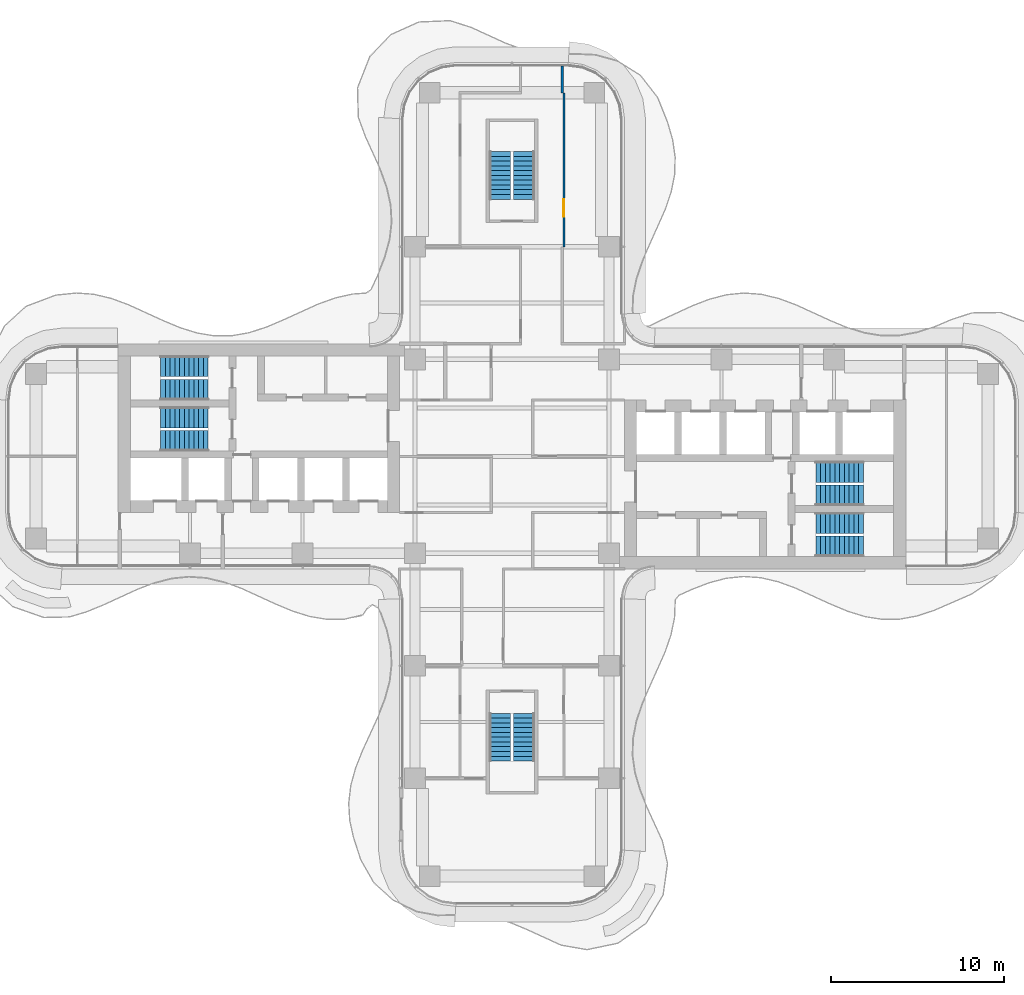
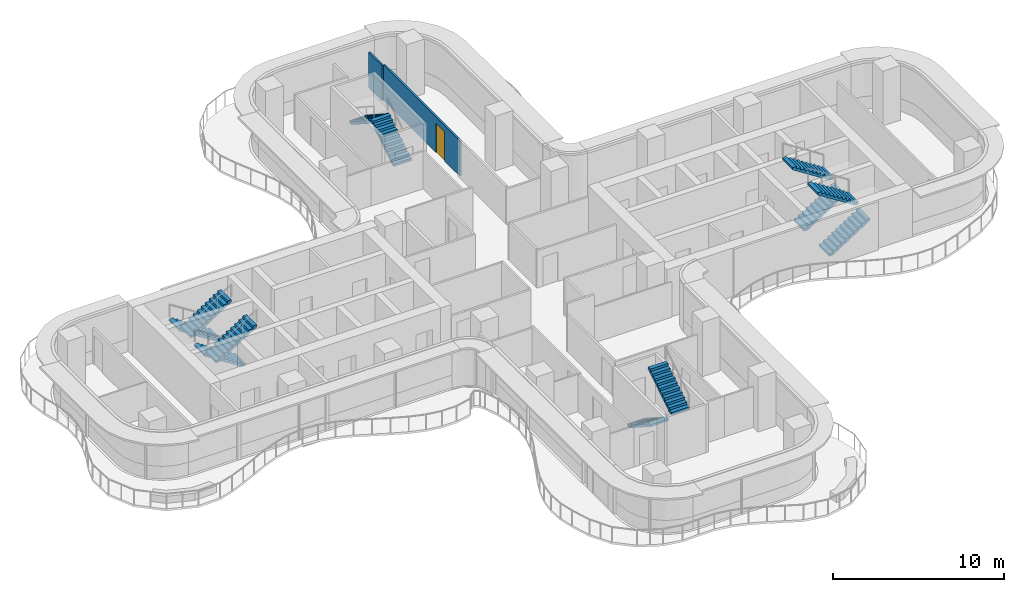
# One storey, part 15 of 17: 12 stair flights, 2 walls, 1 door, 1 opening, 6 elements without a shape of their own.
"""IFC4 building model written with IfcOpenShell, lengths in metres."""

from ifc_helpers import new_model, si_unit, direction, frame, frame_2d, origin, place, context, subcontext, project, spatial, polyline, rectangle, outline, extrude, source, transform, mapped, material, layer, layer_set, type_object, element, fill, aggregate, save


model = new_model("IFC4")

# Units and contexts
model_context = context("Model", 3, precision=1e-05, world=origin(), true_north=direction((0.0, 1.0)))
body_context = subcontext(model_context, "Body", "Model", "MODEL_VIEW")
ifc_project = project(units=[si_unit("LENGTHUNIT", "METRE"), si_unit("AREAUNIT", "SQUARE_METRE"), si_unit("VOLUMEUNIT", "CUBIC_METRE"), si_unit("PLANEANGLEUNIT", "RADIAN"), si_unit("MASSUNIT", "GRAM", prefix="KILO")], contexts=[model_context])

# Site, building, storey
site_placement = place(None, origin())
site = spatial("IfcSite", under=ifc_project, at=site_placement, CompositionType="ELEMENT")
building_placement = place(site_placement, origin())
building = spatial("IfcBuilding", under=site, at=building_placement, Name="Trellis Farm Tower", CompositionType="ELEMENT")
storey_placement = place(building_placement, frame((0.0, 0.0, 208.800048828125)))
storey = spatial("IfcBuildingStorey", under=building, at=storey_placement, Name="L46", CompositionType="ELEMENT", Elevation=208.800048828125)

# Wall
ifc_material_1 = material(Name="Plasterboard on steel studs, mineral wool", Category="steel")
ifc_layer = layer(ifc_material_1, 0.125)
ifc_layer_set = layer_set([ifc_layer], Name="PARTITION 125 STUD EI 60")
wall_type = type_object("IfcWallType", Name="PARTITION 125 STUD EI 60", PredefinedType="PARTITIONING", material=ifc_layer_set)
wall_1_placement = place(storey_placement, frame((2.89990234375, 22.550048828125, 0.0), z_axis=(0.0, 0.0, 1.0), x_axis=(0.0, -1.0, 0.0)))
element("IfcWall", 1, at=wall_1_placement, inside=storey, type_object=wall_type, Name="Partition PW1", PredefinedType="PARTITIONING", context=body_context, shape_type="SweptSolid", body=[
    extrude(rectangle(XDim=1.550048828125, YDim=0.125, at=frame_2d((0.77490234375, 0.0))), origin(), (0.0, 0.0, 1.0), 2.530029296875),
])

# Wall, opening, door
wall_2_placement = place(storey_placement, frame((3.0, 21.0, 0.0), z_axis=(0.0, 0.0, 1.0), x_axis=(0.0, -1.0, 0.0)))
wall_2 = element("IfcWall", 2, at=wall_2_placement, inside=storey, type_object=wall_type, Name="Partition PW1", PredefinedType="PARTITIONING", context=body_context, shape_type="SweptSolid", body=[
    extrude(rectangle(XDim=8.89990234375, YDim=0.125, at=frame_2d((4.449951171875, 0.0))), origin(), (0.0, 0.0, 1.0), 2.530029296875),
])
shared_shape_1 = source(origin(), body_context, "Body", "SweptSolid", [
    extrude(rectangle(XDim=1.0, YDim=2.10009765625, at=frame_2d((0.5, 1.050048828125))), frame((0.0, 0.072509765625, 0.0), z_axis=(0.0, -1.0, 0.0), x_axis=(1.0, 0.0, 0.0)), (0.0, 0.0, 1.0), 0.14501953125),
])
opening_placement = place(wall_2_placement, frame((6.14990234375, 0.0, 0.0)))
opening = element("IfcOpeningElement", 3, at=opening_placement, cuts=wall_2, Name="Opening D111", PredefinedType="OPENING", context=body_context, shape_type="MappedRepresentation", body=[
    mapped(shared_shape_1, transform((0.0, 0.0, 0.0))),
])
ifc_material_2 = material(Name="Fire-rated timber door leaf in a hollow metal frame", Category="wood")
door_type = type_object("IfcDoorType", Name="DOOR 1000x2100 FD30S", OperationType="NOTDEFINED", PredefinedType="DOOR", material=ifc_material_2)
shared_shape_2 = source(origin(), body_context, "Body", "SweptSolid", [
    extrude(rectangle(XDim=1.0, YDim=2.10009765625, at=frame_2d((0.5, 1.050048828125))), frame((0.0, 0.02490234375, 0.0), z_axis=(0.0, -1.0, 0.0), x_axis=(1.0, 0.0, 0.0)), (0.0, 0.0, 1.0), 0.050048828125),
])
door_placement = place(opening_placement, origin())
door = element("IfcDoor", 4, at=door_placement, inside=storey, type_object=door_type, Name="Door D111", OperationType="SINGLE_SWING_RIGHT", OverallHeight=2.10009765625, OverallWidth=1.0, PredefinedType="DOOR", context=body_context, shape_type="MappedRepresentation", body=[
    mapped(shared_shape_2, transform((0.0, 0.0, 0.0))),
])
fill(opening, door)

# Stair, stair flights
ifc_material_3 = material(Name="Concrete C50/60", Category="concrete")
stair_type = type_object("IfcStairType", Name="CORE EXIT STAIR 22 RISERS 177 MM", PredefinedType="HALF_TURN_STAIR", material=ifc_material_3)
placement = place(storey_placement, origin())
stair_1 = element("IfcStair", 5, at=placement, inside=storey, type_object=stair_type, Name="Exit stair N", PredefinedType="HALF_TURN_STAIR")
stair_flight_type = type_object("IfcStairFlightType", Name="STAIR FLIGHT 11 RISERS 177 MM", PredefinedType="STRAIGHT", material=ifc_material_3)
shared_shape_3 = source(origin(), body_context, "Body", "SweptSolid", [
    extrude(outline(polyline([(0.0, 0.0), (0.0, 0.17724609375), (0.27490234375, 0.17724609375), (0.27490234375, 0.3544921875), (0.550048828125, 0.3544921875), (0.550048828125, 0.53173828125), (0.824951171875, 0.53173828125), (0.824951171875, 0.708984375), (1.10009765625, 0.708984375), (1.10009765625, 0.886474609375), (1.375, 0.886474609375), (1.375, 1.063720703125), (1.64990234375, 1.063720703125), (1.64990234375, 1.240966796875), (1.925048828125, 1.240966796875), (1.925048828125, 1.418212890625), (2.199951171875, 1.418212890625), (2.199951171875, 1.595458984375), (2.47509765625, 1.595458984375), (2.47509765625, 1.772705078125), (2.75, 1.772705078125), (2.75, 1.949951171875), (2.75, 1.6181640625), (0.23974609375, 0.0), (0.0, 0.0)])), frame((0.0, 0.60009765625, 0.0), z_axis=(0.0, -1.0, 0.0), x_axis=(1.0, 0.0, 0.0)), (0.0, 0.0, 1.0), 1.199951171875),
])
stair_flight_1_placement = place(storey_placement, frame((0.699951171875, 14.85009765625, 0.0), z_axis=(0.0, 0.0, 1.0), x_axis=(0.0, 1.0, 0.0)))
stair_flight_1 = element("IfcStairFlight", 6, at=stair_flight_1_placement, type_object=stair_flight_type, Name="STN flight 1", NumberOfRisers=11, NumberOfTreads=10, PredefinedType="STRAIGHT", RiserHeight=0.177272727, TreadLength=0.275, context=body_context, shape_type="MappedRepresentation", body=[
    mapped(shared_shape_3, transform((0.0, 0.0, 0.0))),
])
stair_flight_2_placement = place(storey_placement, frame((-0.699951171875, 17.60009765625, 1.949951171875), z_axis=(0.0, 0.0, 1.0), x_axis=(0.0, -1.0, 0.0)))
stair_flight_2 = element("IfcStairFlight", 7, at=stair_flight_2_placement, type_object=stair_flight_type, Name="STN flight 2", NumberOfRisers=11, NumberOfTreads=10, PredefinedType="STRAIGHT", RiserHeight=0.177272727, TreadLength=0.275, context=body_context, shape_type="MappedRepresentation", body=[
    mapped(shared_shape_3, transform((0.0, 0.0, 0.0))),
])
aggregate(stair_1, [stair_flight_1, stair_flight_2])

stair_2 = element("IfcStair", 8, at=placement, inside=storey, type_object=stair_type, Name="Exit stair S", PredefinedType="HALF_TURN_STAIR")
stair_flight_3_placement = place(storey_placement, frame((-0.699951171875, -14.85009765625, 0.0), z_axis=(0.0, 0.0, 1.0), x_axis=(0.0, -1.0, 0.0)))
stair_flight_3 = element("IfcStairFlight", 9, at=stair_flight_3_placement, type_object=stair_flight_type, Name="STS flight 1", NumberOfRisers=11, NumberOfTreads=10, PredefinedType="STRAIGHT", RiserHeight=0.177272727, TreadLength=0.275, context=body_context, shape_type="MappedRepresentation", body=[
    mapped(shared_shape_3, transform((0.0, 0.0, 0.0))),
])
stair_flight_4_placement = place(storey_placement, frame((0.699951171875, -17.60009765625, 1.949951171875), z_axis=(0.0, 0.0, 1.0), x_axis=(0.0, 1.0, 0.0)))
stair_flight_4 = element("IfcStairFlight", 10, at=stair_flight_4_placement, type_object=stair_flight_type, Name="STS flight 2", NumberOfRisers=11, NumberOfTreads=10, PredefinedType="STRAIGHT", RiserHeight=0.177272727, TreadLength=0.275, context=body_context, shape_type="MappedRepresentation", body=[
    mapped(shared_shape_3, transform((0.0, 0.0, 0.0))),
])
aggregate(stair_2, [stair_flight_3, stair_flight_4])

stair_3 = element("IfcStair", 11, at=placement, inside=storey, type_object=stair_type, Name="Exit stair E1", PredefinedType="HALF_TURN_STAIR")
stair_flight_5_placement = place(storey_placement, frame((17.550048828125, -5.199951171875, 0.0), z_axis=(0.0, 0.0, 1.0), x_axis=(1.0, 0.0, 0.0)))
stair_flight_5 = element("IfcStairFlight", 12, at=stair_flight_5_placement, type_object=stair_flight_type, Name="STE1 flight 1", NumberOfRisers=11, NumberOfTreads=10, PredefinedType="STRAIGHT", RiserHeight=0.177272727, TreadLength=0.275, context=body_context, shape_type="MappedRepresentation", body=[
    mapped(shared_shape_3, transform((0.0, 0.0, 0.0))),
])
stair_flight_6_placement = place(storey_placement, frame((20.300048828125, -3.85009765625, 1.949951171875), z_axis=(0.0, 0.0, 1.0), x_axis=(-1.0, 0.0, 0.0)))
stair_flight_6 = element("IfcStairFlight", 13, at=stair_flight_6_placement, type_object=stair_flight_type, Name="STE1 flight 2", NumberOfRisers=11, NumberOfTreads=10, PredefinedType="STRAIGHT", RiserHeight=0.177272727, TreadLength=0.275, context=body_context, shape_type="MappedRepresentation", body=[
    mapped(shared_shape_3, transform((0.0, 0.0, 0.0))),
])
aggregate(stair_3, [stair_flight_5, stair_flight_6])

stair_4 = element("IfcStair", 14, at=placement, inside=storey, type_object=stair_type, Name="Exit stair E2", PredefinedType="HALF_TURN_STAIR")
stair_flight_7_placement = place(storey_placement, frame((17.550048828125, -2.25, 0.0), z_axis=(0.0, 0.0, 1.0), x_axis=(1.0, 0.0, 0.0)))
stair_flight_7 = element("IfcStairFlight", 15, at=stair_flight_7_placement, type_object=stair_flight_type, Name="STE2 flight 1", NumberOfRisers=11, NumberOfTreads=10, PredefinedType="STRAIGHT", RiserHeight=0.177272727, TreadLength=0.275, context=body_context, shape_type="MappedRepresentation", body=[
    mapped(shared_shape_3, transform((0.0, 0.0, 0.0))),
])
stair_flight_8_placement = place(storey_placement, frame((20.300048828125, -0.89990234375, 1.949951171875), z_axis=(0.0, 0.0, 1.0), x_axis=(-1.0, 0.0, 0.0)))
stair_flight_8 = element("IfcStairFlight", 16, at=stair_flight_8_placement, type_object=stair_flight_type, Name="STE2 flight 2", NumberOfRisers=11, NumberOfTreads=10, PredefinedType="STRAIGHT", RiserHeight=0.177272727, TreadLength=0.275, context=body_context, shape_type="MappedRepresentation", body=[
    mapped(shared_shape_3, transform((0.0, 0.0, 0.0))),
])
aggregate(stair_4, [stair_flight_7, stair_flight_8])

stair_5 = element("IfcStair", 17, at=placement, inside=storey, type_object=stair_type, Name="Exit stair W1", PredefinedType="HALF_TURN_STAIR")
stair_flight_9_placement = place(storey_placement, frame((-17.550048828125, 5.199951171875, 0.0), z_axis=(0.0, 0.0, 1.0), x_axis=(-1.0, 0.0, 0.0)))
stair_flight_9 = element("IfcStairFlight", 18, at=stair_flight_9_placement, type_object=stair_flight_type, Name="STW1 flight 1", NumberOfRisers=11, NumberOfTreads=10, PredefinedType="STRAIGHT", RiserHeight=0.177272727, TreadLength=0.275, context=body_context, shape_type="MappedRepresentation", body=[
    mapped(shared_shape_3, transform((0.0, 0.0, 0.0))),
])
stair_flight_10_placement = place(storey_placement, frame((-20.300048828125, 3.85009765625, 1.949951171875), z_axis=(0.0, 0.0, 1.0), x_axis=(1.0, 0.0, 0.0)))
stair_flight_10 = element("IfcStairFlight", 19, at=stair_flight_10_placement, type_object=stair_flight_type, Name="STW1 flight 2", NumberOfRisers=11, NumberOfTreads=10, PredefinedType="STRAIGHT", RiserHeight=0.177272727, TreadLength=0.275, context=body_context, shape_type="MappedRepresentation", body=[
    mapped(shared_shape_3, transform((0.0, 0.0, 0.0))),
])
aggregate(stair_5, [stair_flight_9, stair_flight_10])

stair_6 = element("IfcStair", 20, at=placement, inside=storey, type_object=stair_type, Name="Exit stair W2", PredefinedType="HALF_TURN_STAIR")
stair_flight_11_placement = place(storey_placement, frame((-17.550048828125, 2.25, 0.0), z_axis=(0.0, 0.0, 1.0), x_axis=(-1.0, 0.0, 0.0)))
stair_flight_11 = element("IfcStairFlight", 21, at=stair_flight_11_placement, type_object=stair_flight_type, Name="STW2 flight 1", NumberOfRisers=11, NumberOfTreads=10, PredefinedType="STRAIGHT", RiserHeight=0.177272727, TreadLength=0.275, context=body_context, shape_type="MappedRepresentation", body=[
    mapped(shared_shape_3, transform((0.0, 0.0, 0.0))),
])
stair_flight_12_placement = place(storey_placement, frame((-20.300048828125, 0.89990234375, 1.949951171875), z_axis=(0.0, 0.0, 1.0), x_axis=(1.0, 0.0, 0.0)))
stair_flight_12 = element("IfcStairFlight", 22, at=stair_flight_12_placement, type_object=stair_flight_type, Name="STW2 flight 2", NumberOfRisers=11, NumberOfTreads=10, PredefinedType="STRAIGHT", RiserHeight=0.177272727, TreadLength=0.275, context=body_context, shape_type="MappedRepresentation", body=[
    mapped(shared_shape_3, transform((0.0, 0.0, 0.0))),
])
aggregate(stair_6, [stair_flight_11, stair_flight_12])

save(model, "model.ifc")
